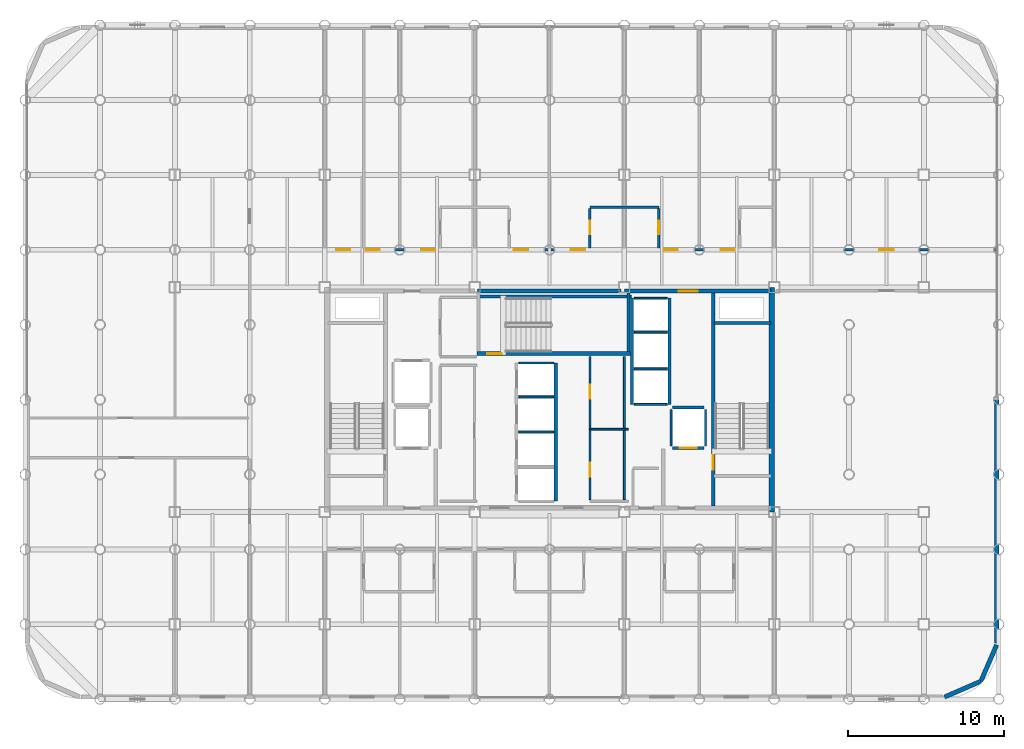
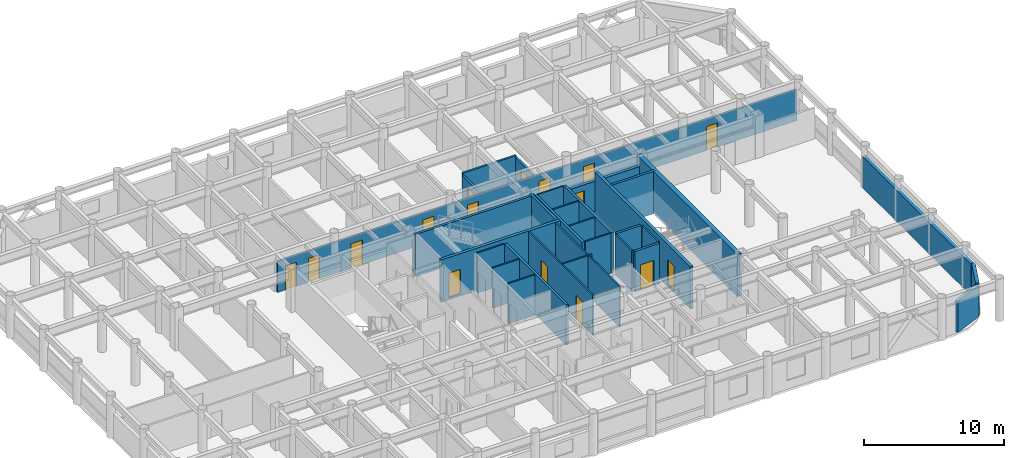
# One storey, part 18 of 20: 32 walls, 16 doors, 16 openings.
"""IFC4 building model written with IfcOpenShell, lengths in metres."""

from ifc_helpers import new_model, si_unit, direction, frame, frame_2d, origin, place, context, subcontext, project, spatial, rectangle, extrude, material, layer, layer_set, type_object, element, fill, save


model = new_model("IFC4")

# Units and contexts
model_context = context("Model", 3, precision=1e-05, world=origin(), true_north=direction((0.0, 1.0)))
body_context = subcontext(model_context, "Body", "Model", "MODEL_VIEW")
ifc_project = project(units=[si_unit("LENGTHUNIT", "METRE"), si_unit("AREAUNIT", "SQUARE_METRE"), si_unit("VOLUMEUNIT", "CUBIC_METRE"), si_unit("PLANEANGLEUNIT", "RADIAN"), si_unit("MASSUNIT", "GRAM", prefix="KILO")], contexts=[model_context])

# Site, building, storey
site_placement = place(None, origin())
site = spatial("IfcSite", under=ifc_project, at=site_placement, CompositionType="ELEMENT")
building_placement = place(site_placement, origin())
building = spatial("IfcBuilding", under=site, at=building_placement, Name="Kallvorn Hotel Tower", CompositionType="ELEMENT")
storey_placement = place(building_placement, frame((0.0, 0.0, 128.5)))
storey = spatial("IfcBuildingStorey", under=building, at=storey_placement, Name="L31", CompositionType="ELEMENT", Elevation=128.5)

# Wall
ifc_material_1 = material(Name="Concrete C50/60", Category="concrete")
ifc_layer_1 = layer(ifc_material_1, 0.35009765625)
ifc_layer_set_1 = layer_set([ifc_layer_1], Name="WL_CORE_350")
wall_type_1 = type_object("IfcWallType", Name="WL_CORE_350", PredefinedType="SHEAR", material=ifc_layer_set_1)
wall_1_placement = place(storey_placement, frame((14.239990234375, -7.199951171875, -0.179931640625), z_axis=(0.0, 0.0, 1.0), x_axis=(0.0, 1.0, 0.0)))
element("IfcWall", 1, at=wall_1_placement, inside=storey, type_object=wall_type_1, Name="L31 Core East Shear Wall", PredefinedType="SHEAR", context=body_context, shape_type="SweptSolid", body=[
    extrude(rectangle(XDim=14.39990234375, YDim=0.35009765625, at=frame_2d((7.199951171875, 0.0))), origin(), (0.0, 0.0, 1.0), 3.699951171875),
])

# Wall, openings, doors
ifc_material_2 = material(Name="Fire-rated double-layer acoustic gypsum drywall EI 60")
ifc_layer_2 = layer(ifc_material_2, 0.159912109375)
ifc_layer_set_2 = layer_set([ifc_layer_2], Name="WL_DEMISE_160")
wall_type_2 = type_object("IfcWallType", Name="WL_DEMISE_160", PredefinedType="PARTITIONING", material=ifc_layer_set_2)
wall_2_placement = place(storey_placement, frame((-14.320068359375, 9.60009765625, 0.0), z_axis=(0.0, 0.0, 1.0), x_axis=(1.0, 0.0, 0.0)))
wall_2 = element("IfcWall", 2, at=wall_2_placement, inside=storey, type_object=wall_type_2, Name="L31 Suite 3107 Standard Twin Room Partition", PredefinedType="PARTITIONING", context=body_context, shape_type="SweptSolid", body=[
    extrude(rectangle(XDim=42.949951171875, YDim=0.159912109375, at=frame_2d((21.47509765625, 0.0))), origin(), (0.0, 0.0, 1.0), 2.719970703125),
])
opening_1_placement = place(wall_2_placement, frame((35.469970703125, 0.0, 0.0)))
opening_1 = element("IfcOpeningElement", 3, at=opening_1_placement, cuts=wall_2, Name="Opening SVD1", PredefinedType="OPENING", context=body_context, shape_type="SweptSolid", body=[
    extrude(rectangle(XDim=0.89990234375, YDim=2.10009765625, at=frame_2d((0.449951171875, 1.050048828125))), frame((0.0, 0.094970703125, 0.0), z_axis=(0.0, -1.0, 0.0), x_axis=(1.0, 0.0, 0.0)), (0.0, 0.0, 1.0), 0.18994140625),
])
opening_2_placement = place(wall_2_placement, frame((0.669921875, 0.0, 0.0)))
opening_2 = element("IfcOpeningElement", 4, at=opening_2_placement, cuts=wall_2, Name="Opening SVD1", PredefinedType="OPENING", context=body_context, shape_type="SweptSolid", body=[
    extrude(rectangle(XDim=0.89990234375, YDim=2.10009765625, at=frame_2d((0.449951171875, 1.050048828125))), frame((0.0, 0.094970703125, 0.0), z_axis=(0.0, -1.0, 0.0), x_axis=(1.0, 0.0, 0.0)), (0.0, 0.0, 1.0), 0.18994140625),
])
opening_3_placement = place(wall_2_placement, frame((2.56005859375, 0.0, 0.0)))
opening_3 = element("IfcOpeningElement", 5, at=opening_3_placement, cuts=wall_2, Name="Opening SVD1", PredefinedType="OPENING", context=body_context, shape_type="SweptSolid", body=[
    extrude(rectangle(XDim=0.89990234375, YDim=2.10009765625, at=frame_2d((0.449951171875, 1.050048828125))), frame((0.0, 0.094970703125, 0.0), z_axis=(0.0, -1.0, 0.0), x_axis=(1.0, 0.0, 0.0)), (0.0, 0.0, 1.0), 0.18994140625),
])
opening_4_placement = place(wall_2_placement, frame((6.090087890625, 0.0, 0.0)))
opening_4 = element("IfcOpeningElement", 6, at=opening_4_placement, cuts=wall_2, Name="Opening GD1", PredefinedType="OPENING", context=body_context, shape_type="SweptSolid", body=[
    extrude(rectangle(XDim=0.919921875, YDim=2.14990234375, at=frame_2d((0.4599609375, 1.074951171875))), frame((0.0, 0.094970703125, 0.0), z_axis=(0.0, -1.0, 0.0), x_axis=(1.0, 0.0, 0.0)), (0.0, 0.0, 1.0), 0.18994140625),
])
opening_5_placement = place(wall_2_placement, frame((12.030029296875, 0.0, 0.0)))
opening_5 = element("IfcOpeningElement", 7, at=opening_5_placement, cuts=wall_2, Name="Opening GD1", PredefinedType="OPENING", context=body_context, shape_type="SweptSolid", body=[
    extrude(rectangle(XDim=0.919921875, YDim=2.14990234375, at=frame_2d((0.4599609375, 1.074951171875))), frame((0.0, 0.094970703125, 0.0), z_axis=(0.0, -1.0, 0.0), x_axis=(1.0, 0.0, 0.0)), (0.0, 0.0, 1.0), 0.18994140625),
])
opening_6_placement = place(wall_2_placement, frame((15.68994140625, 0.0, 0.0)))
opening_6 = element("IfcOpeningElement", 8, at=opening_6_placement, cuts=wall_2, Name="Opening GD1", PredefinedType="OPENING", context=body_context, shape_type="SweptSolid", body=[
    extrude(rectangle(XDim=0.919921875, YDim=2.14990234375, at=frame_2d((0.4599609375, 1.074951171875))), frame((0.0, 0.094970703125, 0.0), z_axis=(0.0, -1.0, 0.0), x_axis=(1.0, 0.0, 0.0)), (0.0, 0.0, 1.0), 0.18994140625),
])
opening_7_placement = place(wall_2_placement, frame((21.6298828125, 0.0, 0.0)))
opening_7 = element("IfcOpeningElement", 9, at=opening_7_placement, cuts=wall_2, Name="Opening GD1", PredefinedType="OPENING", context=body_context, shape_type="SweptSolid", body=[
    extrude(rectangle(XDim=0.919921875, YDim=2.14990234375, at=frame_2d((0.4599609375, 1.074951171875))), frame((0.0, 0.094970703125, 0.0), z_axis=(0.0, -1.0, 0.0), x_axis=(1.0, 0.0, 0.0)), (0.0, 0.0, 1.0), 0.18994140625),
])
opening_8_placement = place(wall_2_placement, frame((25.2900390625, 0.0, 0.0)))
opening_8 = element("IfcOpeningElement", 10, at=opening_8_placement, cuts=wall_2, Name="Opening GD1", PredefinedType="OPENING", context=body_context, shape_type="SweptSolid", body=[
    extrude(rectangle(XDim=0.919921875, YDim=2.14990234375, at=frame_2d((0.4599609375, 1.074951171875))), frame((0.0, 0.094970703125, 0.0), z_axis=(0.0, -1.0, 0.0), x_axis=(1.0, 0.0, 0.0)), (0.0, 0.0, 1.0), 0.18994140625),
])
ifc_material_3 = material(Name="Solid-core walnut veneer fire-rated timber door leaf", Category="wood")
door_type_1 = type_object("IfcDoorType", Name="DR_GUEST_920x2150", OperationType="NOTDEFINED", PredefinedType="DOOR", material=ifc_material_3)
door_1_placement = place(opening_4_placement, origin())
door_1 = element("IfcDoor", 11, at=door_1_placement, inside=storey, type_object=door_type_1, Name="L31 Suite 3107 Standard Twin Room Door", OperationType="SINGLE_SWING_RIGHT", OverallHeight=2.14990234375, OverallWidth=0.919921875, PredefinedType="DOOR", context=body_context, shape_type="SweptSolid", body=[
    extrude(rectangle(XDim=0.919921875, YDim=2.14990234375, at=frame_2d((0.4599609375, 1.074951171875))), frame((0.0, 0.02490234375, 0.0), z_axis=(0.0, -1.0, 0.0), x_axis=(1.0, 0.0, 0.0)), (0.0, 0.0, 1.0), 0.050048828125),
])
fill(opening_4, door_1)
door_2_placement = place(opening_5_placement, origin())
door_2 = element("IfcDoor", 12, at=door_2_placement, inside=storey, type_object=door_type_1, Name="L31 Suite 3108 Standard Twin Room Door", OperationType="SINGLE_SWING_RIGHT", OverallHeight=2.14990234375, OverallWidth=0.919921875, PredefinedType="DOOR", context=body_context, shape_type="SweptSolid", body=[
    extrude(rectangle(XDim=0.919921875, YDim=2.14990234375, at=frame_2d((0.4599609375, 1.074951171875))), frame((0.0, 0.02490234375, 0.0), z_axis=(0.0, -1.0, 0.0), x_axis=(1.0, 0.0, 0.0)), (0.0, 0.0, 1.0), 0.050048828125),
])
fill(opening_5, door_2)
door_3_placement = place(opening_6_placement, origin())
door_3 = element("IfcDoor", 13, at=door_3_placement, inside=storey, type_object=door_type_1, Name="L31 Suite 3109 Standard Twin Room Door", OperationType="SINGLE_SWING_LEFT", OverallHeight=2.14990234375, OverallWidth=0.919921875, PredefinedType="DOOR", context=body_context, shape_type="SweptSolid", body=[
    extrude(rectangle(XDim=0.919921875, YDim=2.14990234375, at=frame_2d((0.4599609375, 1.074951171875))), frame((0.0, 0.02490234375, 0.0), z_axis=(0.0, -1.0, 0.0), x_axis=(1.0, 0.0, 0.0)), (0.0, 0.0, 1.0), 0.050048828125),
])
fill(opening_6, door_3)
door_4_placement = place(opening_7_placement, origin())
door_4 = element("IfcDoor", 14, at=door_4_placement, inside=storey, type_object=door_type_1, Name="L31 Suite 3110 Standard Twin Room Door", OperationType="SINGLE_SWING_RIGHT", OverallHeight=2.14990234375, OverallWidth=0.919921875, PredefinedType="DOOR", context=body_context, shape_type="SweptSolid", body=[
    extrude(rectangle(XDim=0.919921875, YDim=2.14990234375, at=frame_2d((0.4599609375, 1.074951171875))), frame((0.0, 0.02490234375, 0.0), z_axis=(0.0, -1.0, 0.0), x_axis=(1.0, 0.0, 0.0)), (0.0, 0.0, 1.0), 0.050048828125),
])
fill(opening_7, door_4)
door_5_placement = place(opening_8_placement, origin())
door_5 = element("IfcDoor", 15, at=door_5_placement, inside=storey, type_object=door_type_1, Name="L31 Suite 3111 Standard Twin Room Door", OperationType="SINGLE_SWING_LEFT", OverallHeight=2.14990234375, OverallWidth=0.919921875, PredefinedType="DOOR", context=body_context, shape_type="SweptSolid", body=[
    extrude(rectangle(XDim=0.919921875, YDim=2.14990234375, at=frame_2d((0.4599609375, 1.074951171875))), frame((0.0, 0.02490234375, 0.0), z_axis=(0.0, -1.0, 0.0), x_axis=(1.0, 0.0, 0.0)), (0.0, 0.0, 1.0), 0.050048828125),
])
fill(opening_8, door_5)
ifc_material_4 = material(Name="Galvanised painted steel fire-rated door assembly", Category="steel")
door_type_2 = type_object("IfcDoorType", Name="DR_SERV_900x2100", OperationType="NOTDEFINED", PredefinedType="DOOR", material=ifc_material_4)
door_6_placement = place(opening_1_placement, origin())
door_6 = element("IfcDoor", 16, at=door_6_placement, inside=storey, type_object=door_type_2, Name="L31 L31 North-East Monserrate Banquet Hall Door", OperationType="SINGLE_SWING_LEFT", OverallHeight=2.10009765625, OverallWidth=0.89990234375, PredefinedType="DOOR", context=body_context, shape_type="SweptSolid", body=[
    extrude(rectangle(XDim=0.89990234375, YDim=2.10009765625, at=frame_2d((0.449951171875, 1.050048828125))), frame((0.0, 0.02490234375, 0.0), z_axis=(0.0, -1.0, 0.0), x_axis=(1.0, 0.0, 0.0)), (0.0, 0.0, 1.0), 0.050048828125),
])
fill(opening_1, door_6)
door_7_placement = place(opening_2_placement, origin())
door_7 = element("IfcDoor", 17, at=door_7_placement, inside=storey, type_object=door_type_2, Name="L31 Housekeeping and Linen Room Door", OperationType="SINGLE_SWING_RIGHT", OverallHeight=2.10009765625, OverallWidth=0.89990234375, PredefinedType="DOOR", context=body_context, shape_type="SweptSolid", body=[
    extrude(rectangle(XDim=0.89990234375, YDim=2.10009765625, at=frame_2d((0.449951171875, 1.050048828125))), frame((0.0, 0.02490234375, 0.0), z_axis=(0.0, -1.0, 0.0), x_axis=(1.0, 0.0, 0.0)), (0.0, 0.0, 1.0), 0.050048828125),
])
fill(opening_2, door_7)
door_8_placement = place(opening_3_placement, origin())
door_8 = element("IfcDoor", 18, at=door_8_placement, inside=storey, type_object=door_type_2, Name="L31 Guest Tea and Refreshment Bar Door", OperationType="SINGLE_SWING_RIGHT", OverallHeight=2.10009765625, OverallWidth=0.89990234375, PredefinedType="DOOR", context=body_context, shape_type="SweptSolid", body=[
    extrude(rectangle(XDim=0.89990234375, YDim=2.10009765625, at=frame_2d((0.449951171875, 1.050048828125))), frame((0.0, 0.02490234375, 0.0), z_axis=(0.0, -1.0, 0.0), x_axis=(1.0, 0.0, 0.0)), (0.0, 0.0, 1.0), 0.050048828125),
])
fill(opening_3, door_8)

# Wall
wall_3_placement = place(storey_placement, frame((2.590087890625, 12.320068359375, 0.0), z_axis=(0.0, 0.0, 1.0), x_axis=(1.0, 0.0, 0.0)))
element("IfcWall", 19, at=wall_3_placement, inside=storey, type_object=wall_type_2, Name="L31 Suite 3109 Standard Twin Room Partition", PredefinedType="PARTITIONING", context=body_context, shape_type="SweptSolid", body=[
    extrude(rectangle(XDim=4.419921875, YDim=0.159912109375, at=frame_2d((2.2099609375, 0.0))), origin(), (0.0, 0.0, 1.0), 2.8701171875),
])

# Wall, opening, door
wall_4_placement = place(storey_placement, frame((2.594970703125, 9.719970703125, 0.0), z_axis=(0.0, 0.0, 1.0), x_axis=(0.0, 1.0, 0.0)))
wall_4 = element("IfcWall", 20, at=wall_4_placement, inside=storey, type_object=wall_type_2, Name="L31 Suite 3109 Standard Twin Room Partition", PredefinedType="PARTITIONING", context=body_context, shape_type="SweptSolid", body=[
    extrude(rectangle(XDim=2.51513671875, YDim=0.159912109375, at=frame_2d((1.257568359375, 0.0))), origin(), (0.0, 0.0, 1.0), 2.719970703125),
])
opening_9_placement = place(wall_4_placement, frame((0.8701171875, 0.0, 0.0)))
opening_9 = element("IfcOpeningElement", 21, at=opening_9_placement, cuts=wall_4, Name="Opening BD-I", PredefinedType="OPENING", context=body_context, shape_type="SweptSolid", body=[
    extrude(rectangle(XDim=0.860107421875, YDim=2.10009765625, at=frame_2d((0.43017578125, 1.050048828125))), frame((0.0, 0.094970703125, 0.0), z_axis=(0.0, -1.0, 0.0), x_axis=(1.0, 0.0, 0.0)), (0.0, 0.0, 1.0), 0.18994140625),
])
ifc_material_5 = material(Name="Solid-core walnut veneer fire-rated timber door leaf", Category="wood")
door_type_3 = type_object("IfcDoorType", Name="DR_BATH_860x2100", OperationType="NOTDEFINED", PredefinedType="DOOR", material=ifc_material_5)
door_9_placement = place(opening_9_placement, origin())
door_9 = element("IfcDoor", 22, at=door_9_placement, inside=storey, type_object=door_type_3, Name="L31 Suite 3109 En-Suite Bathroom Door", OperationType="SINGLE_SWING_LEFT", OverallHeight=2.10009765625, OverallWidth=0.860107421875, PredefinedType="DOOR", context=body_context, shape_type="SweptSolid", body=[
    extrude(rectangle(XDim=0.860107421875, YDim=2.10009765625, at=frame_2d((0.43017578125, 1.050048828125))), frame((0.0, 0.02490234375, 0.0), z_axis=(0.0, -1.0, 0.0), x_axis=(1.0, 0.0, 0.0)), (0.0, 0.0, 1.0), 0.050048828125),
])
fill(opening_9, door_9)

wall_5_placement = place(storey_placement, frame((7.006591796875, 9.719970703125, 0.0), z_axis=(0.0, 0.0, 1.0), x_axis=(0.0, 1.0, 0.0)))
wall_5 = element("IfcWall", 23, at=wall_5_placement, inside=storey, type_object=wall_type_2, Name="L31 Suite 3110 Standard Twin Room Partition", PredefinedType="PARTITIONING", context=body_context, shape_type="SweptSolid", body=[
    extrude(rectangle(XDim=2.51513671875, YDim=0.159912109375, at=frame_2d((1.257568359375, 0.0))), origin(), (0.0, 0.0, 1.0), 2.719970703125),
])
opening_10_placement = place(wall_5_placement, frame((0.8701171875, 0.0, 0.0)))
opening_10 = element("IfcOpeningElement", 24, at=opening_10_placement, cuts=wall_5, Name="Opening BD-I", PredefinedType="OPENING", context=body_context, shape_type="SweptSolid", body=[
    extrude(rectangle(XDim=0.860107421875, YDim=2.10009765625, at=frame_2d((0.43017578125, 1.050048828125))), frame((0.0, 0.094970703125, 0.0), z_axis=(0.0, -1.0, 0.0), x_axis=(1.0, 0.0, 0.0)), (0.0, 0.0, 1.0), 0.18994140625),
])
door_10_placement = place(opening_10_placement, origin())
door_10 = element("IfcDoor", 25, at=door_10_placement, inside=storey, type_object=door_type_3, Name="L31 Suite 3110 En-Suite Bathroom Door", OperationType="SINGLE_SWING_LEFT", OverallHeight=2.10009765625, OverallWidth=0.860107421875, PredefinedType="DOOR", context=body_context, shape_type="SweptSolid", body=[
    extrude(rectangle(XDim=0.860107421875, YDim=2.10009765625, at=frame_2d((0.43017578125, 1.050048828125))), frame((0.0, 0.02490234375, 0.0), z_axis=(0.0, -1.0, 0.0), x_axis=(1.0, 0.0, 0.0)), (0.0, 0.0, 1.0), 0.050048828125),
])
fill(opening_10, door_10)

# Walls
ifc_material_6 = material(Name="Precast basalt-clad insulated concrete wall C40/50", Category="masonry")
ifc_layer_3 = layer(ifc_material_6, 0.280029296875)
ifc_layer_set_3 = layer_set([ifc_layer_3], Name="WL_EXT_LOGGIA_280")
wall_type_3 = type_object("IfcWallType", Name="WL_EXT_LOGGIA_280", PredefinedType="SOLIDWALL", material=ifc_layer_set_3)
wall_6_placement = place(storey_placement, frame((25.32080078125, -19.057861328125, 0.0), z_axis=(0.0, 0.0, 1.0), x_axis=(0.917060872934, 0.398747232384, 0.0)))
element("IfcWall", 26, at=wall_6_placement, inside=storey, type_object=wall_type_3, Name="L31 Rounded Corner Exterior Wall SE1", PredefinedType="SOLIDWALL", context=body_context, shape_type="SweptSolid", body=[
    extrude(rectangle(XDim=2.5361328125, YDim=0.280029296875, at=frame_2d((1.26806640625, 0.0))), origin(), (0.0, 0.0, 1.0), 2.719970703125),
])
wall_7_placement = place(storey_placement, frame((27.646484375, -18.046630859375, 0.0), z_axis=(0.0, 0.0, 1.0), x_axis=(0.398792985289, 0.917040977756, 0.0)))
element("IfcWall", 27, at=wall_7_placement, inside=storey, type_object=wall_type_3, Name="L31 Rounded Corner Exterior Wall SE2", PredefinedType="SOLIDWALL", context=body_context, shape_type="SweptSolid", body=[
    extrude(rectangle(XDim=2.536376953125, YDim=0.280029296875, at=frame_2d((1.26806640625, 0.0))), origin(), (0.0, 0.0, 1.0), 2.8701171875),
])
wall_8_placement = place(storey_placement, frame((28.659912109375, -15.60009765625, 0.0), z_axis=(0.0, 0.0, 1.0), x_axis=(0.0, 1.0, 0.0)))
element("IfcWall", 28, at=wall_8_placement, inside=storey, type_object=wall_type_3, Name="L31 Exterior Envelope Wall EW-L31-ES", PredefinedType="SOLIDWALL", context=body_context, shape_type="SweptSolid", body=[
    extrude(rectangle(XDim=15.580078125, YDim=0.280029296875, at=frame_2d((7.7900390625, 0.0))), origin(), (0.0, 0.0, 1.0), 2.719970703125),
])
ifc_material_7 = material(Name="Concrete C40/50", Category="concrete")
ifc_layer_4 = layer(ifc_material_7, 0.199951171875)
ifc_layer_set_4 = layer_set([ifc_layer_4], Name="WL_HOIST_200")
wall_type_4 = type_object("IfcWallType", Name="WL_HOIST_200", PredefinedType="SOLIDWALL", material=ifc_layer_set_4)
wall_9_placement = place(storey_placement, frame((10.550048828125, 4.89990234375, -0.179931640625), z_axis=(0.0, 0.0, 1.0), x_axis=(1.0, 0.0, 0.0)))
element("IfcWall", 29, at=wall_9_placement, inside=storey, type_object=wall_type_4, Name="L31 Stair ST2 North Wall", PredefinedType="SOLIDWALL", context=body_context, shape_type="SweptSolid", body=[
    extrude(rectangle(XDim=3.64990234375, YDim=0.199951171875, at=frame_2d((1.824951171875, 0.0))), origin(), (0.0, 0.0, 1.0), 3.699951171875),
])
wall_10_placement = place(storey_placement, frame((-4.64990234375, 6.610107421875, -0.179931640625), z_axis=(0.0, 0.0, 1.0), x_axis=(1.0, 0.0, 0.0)))
element("IfcWall", 30, at=wall_10_placement, inside=storey, type_object=wall_type_4, Name="L31 Stair ST3 Shaft North Wall", PredefinedType="SOLIDWALL", context=body_context, shape_type="SweptSolid", body=[
    extrude(rectangle(XDim=9.89990234375, YDim=0.199951171875, at=frame_2d((4.949951171875, 0.0))), origin(), (0.0, 0.0, 1.0), 3.699951171875),
])
wall_11_placement = place(storey_placement, frame((5.06005859375, 3.080078125, -0.179931640625), z_axis=(0.0, 0.0, 1.0), x_axis=(0.0, 1.0, 0.0)))
element("IfcWall", 31, at=wall_11_placement, inside=storey, type_object=wall_type_4, Name="L31 Stair ST3 East Wall", PredefinedType="SOLIDWALL", context=body_context, shape_type="SweptSolid", body=[
    extrude(rectangle(XDim=3.739990234375, YDim=0.199951171875, at=frame_2d((1.8701171875, 0.0))), origin(), (0.0, 0.0, 1.0), 3.699951171875),
])
wall_12_placement = place(storey_placement, frame((0.39990234375, -6.5, 0.0), z_axis=(0.0, 0.0, 1.0), x_axis=(0.0, 1.0, 0.0)))
element("IfcWall", 32, at=wall_12_placement, inside=storey, type_object=wall_type_4, Name="L31 Lift Bank B2 Rear Shaft Wall", PredefinedType="SOLIDWALL", context=body_context, shape_type="SweptSolid", body=[
    extrude(rectangle(XDim=8.85009765625, YDim=0.199951171875, at=frame_2d((4.425048828125, 0.0))), origin(), (0.0, 0.0, 1.0), 3.52001953125),
])
for number, where, z_axis, x_axis, name in (
    (33, (7.699951171875, -0.300048828125, 0.0), (0.0, 0.0, 1.0), (0.0, 1.0, 0.0), "L31 Lift Bank OBS Landing Wall"),
    (34, (5.300048828125, -0.300048828125, 0.0), (0.0, 0.0, 1.0), (0.0, 1.0, 0.0), "L31 Lift Bank OBS Rear Shaft Wall"),
):
    element("IfcWall", number, at=place(storey_placement, frame(where, z_axis=z_axis, x_axis=x_axis)), inside=storey, type_object=wall_type_4, Name=name, PredefinedType="SOLIDWALL", context=body_context, shape_type="SweptSolid", body=[
        extrude(rectangle(XDim=6.800048828125, YDim=0.199951171875, at=frame_2d((3.39990234375, 0.0))), origin(), (0.0, 0.0, 1.0), 3.52001953125),
    ])

# Wall, opening, door
wall_13_placement = place(storey_placement, frame((7.8798828125, -3.10009765625, 0.0), z_axis=(0.0, 0.0, 1.0), x_axis=(1.0, 0.0, 0.0)))
wall_13 = element("IfcWall", 35, at=wall_13_placement, inside=storey, type_object=wall_type_4, Name="L31 FL-2 Landing Wall", PredefinedType="SOLIDWALL", context=body_context, shape_type="SweptSolid", body=[
    extrude(rectangle(XDim=2.0400390625, YDim=0.199951171875, at=frame_2d((1.02001953125, 0.0))), origin(), (0.0, 0.0, 1.0), 3.52001953125),
])
opening_11_placement = place(wall_13_placement, frame((0.469970703125, 0.0, 0.0)))
opening_11 = element("IfcOpeningElement", 36, at=opening_11_placement, cuts=wall_13, Name="Opening LD-FL-2", PredefinedType="OPENING", context=body_context, shape_type="SweptSolid", body=[
    extrude(rectangle(XDim=1.10009765625, YDim=2.199951171875, at=frame_2d((0.550048828125, 1.10009765625))), frame((0.0, 0.114990234375, 0.0), z_axis=(0.0, -1.0, 0.0), x_axis=(1.0, 0.0, 0.0)), (0.0, 0.0, 1.0), 0.22998046875),
])
ifc_material_8 = material(Name="Brushed stainless-steel automatic sliding lift landing door", Category="steel")
door_type_4 = type_object("IfcDoorType", Name="LD_PASS_1100x2200", OperationType="SLIDING_TO_LEFT", PredefinedType="DOOR", material=ifc_material_8)
door_11_placement = place(opening_11_placement, origin())
door_11 = element("IfcDoor", 37, at=door_11_placement, inside=storey, type_object=door_type_4, Name="L31 Lift Landing Sliding Door LD-FL-2", OperationType="SLIDING_TO_LEFT", OverallHeight=2.199951171875, OverallWidth=1.10009765625, PredefinedType="DOOR", context=body_context, shape_type="SweptSolid", body=[
    extrude(rectangle(XDim=1.10009765625, YDim=2.199951171875, at=frame_2d((0.550048828125, 1.10009765625))), frame((0.0, 0.02490234375, 0.0), z_axis=(0.0, -1.0, 0.0), x_axis=(1.0, 0.0, 0.0)), (0.0, 0.0, 1.0), 0.050048828125),
])
fill(opening_11, door_11)

# Walls
wall_14_placement = place(storey_placement, frame((7.8798828125, -0.5, 0.0), z_axis=(0.0, 0.0, 1.0), x_axis=(1.0, 0.0, 0.0)))
element("IfcWall", 38, at=wall_14_placement, inside=storey, type_object=wall_type_4, Name="L31 FL-2 Rear Shaft Wall", PredefinedType="SOLIDWALL", context=body_context, shape_type="SweptSolid", body=[
    extrude(rectangle(XDim=2.0400390625, YDim=0.199951171875, at=frame_2d((1.02001953125, 0.0))), origin(), (0.0, 0.0, 1.0), 3.52001953125),
])
ifc_material_9 = material(Name="Fire-rated double-layer acoustic gypsum drywall EI 60")
ifc_layer_5 = layer(ifc_material_9, 0.1201171875)
ifc_layer_set_5 = layer_set([ifc_layer_5], Name="WL_INT_120")
wall_type_5 = type_object("IfcWallType", Name="WL_INT_120", PredefinedType="PARTITIONING", material=ifc_layer_set_5)
for number, where, z_axis, x_axis, name in (
    (39, (-1.9599609375, -2.074951171875, 0.0), (0.0, 0.0, 1.0), (1.0, 0.0, 0.0), "L31 PL-06 Hoistway Divider"),
    (40, (-1.9599609375, 0.175048828125, 0.0), (0.0, 0.0, 1.0), (1.0, 0.0, 0.0), "L31 PL-07 Hoistway Divider"),
    (41, (-1.9599609375, 2.35009765625, 0.0), (0.0, 0.0, 1.0), (1.0, 0.0, 0.0), "L31 PL-08 Hoistway Divider"),
):
    element("IfcWall", number, at=place(storey_placement, frame(where, z_axis=z_axis, x_axis=x_axis)), inside=storey, type_object=wall_type_5, Name=name, PredefinedType="PARTITIONING", context=body_context, shape_type="SweptSolid", body=[
        extrude(rectangle(XDim=2.219970703125, YDim=0.1201171875, at=frame_2d((1.10986328125, 0.0))), origin(), (0.0, 0.0, 1.0), 3.52001953125),
    ])
for number, where, z_axis, x_axis, name in (
    (42, (5.43994140625, -0.300048828125, 0.0), (0.0, 0.0, 1.0), (1.0, 0.0, 0.0), "L31 Lift Bank OBS South Closure Wall"),
    (43, (5.43994140625, 1.97509765625, 0.0), (0.0, 0.0, 1.0), (1.0, 0.0, 0.0), "L31 OB-01 Hoistway Divider"),
    (44, (5.43994140625, 4.324951171875, 0.0), (0.0, 0.0, 1.0), (1.0, 0.0, 0.0), "L31 OB-02 Hoistway Divider"),
    (45, (5.43994140625, 6.5, 0.0), (0.0, 0.0, 1.0), (1.0, 0.0, 0.0), "L31 OB-03 Hoistway Divider"),
):
    element("IfcWall", number, at=place(storey_placement, frame(where, z_axis=z_axis, x_axis=x_axis)), inside=storey, type_object=wall_type_5, Name=name, PredefinedType="PARTITIONING", context=body_context, shape_type="SweptSolid", body=[
        extrude(rectangle(XDim=2.1201171875, YDim=0.1201171875, at=frame_2d((1.06005859375, 0.0))), origin(), (0.0, 0.0, 1.0), 3.52001953125),
    ])
for number, where, z_axis, x_axis, name in (
    (46, (7.800048828125, -2.9599609375, 0.0), (0.0, 0.0, 1.0), (0.0, 1.0, 0.0), "L31 FL-2 West Shaft Wall"),
    (47, (10.0, -2.9599609375, 0.0), (0.0, 0.0, 1.0), (0.0, 1.0, 0.0), "L31 FL-2 East Shaft Wall"),
):
    element("IfcWall", number, at=place(storey_placement, frame(where, z_axis=z_axis, x_axis=x_axis)), inside=storey, type_object=wall_type_5, Name=name, PredefinedType="PARTITIONING", context=body_context, shape_type="SweptSolid", body=[
        extrude(rectangle(XDim=2.320068359375, YDim=0.1201171875, at=frame_2d((1.16015625, 0.0))), origin(), (0.0, 0.0, 1.0), 3.52001953125),
    ])
wall_15_placement = place(storey_placement, frame((2.60009765625, -1.89990234375, 0.0), z_axis=(0.0, 0.0, 1.0), x_axis=(1.0, 0.0, 0.0)))
element("IfcWall", 48, at=wall_15_placement, inside=storey, type_object=wall_type_5, Name="L31 East Core Amenities and Minibar Store Partition", PredefinedType="PARTITIONING", context=body_context, shape_type="SweptSolid", body=[
    extrude(rectangle(XDim=2.449951171875, YDim=0.1201171875, at=frame_2d((1.22509765625, 0.0))), origin(), (0.0, 0.0, 1.0), 3.52001953125),
])

# Wall, openings, doors
wall_16_placement = place(storey_placement, frame((2.594970703125, -6.4150390625, 0.0), z_axis=(0.0, 0.0, 1.0), x_axis=(0.0, 1.0, 0.0)))
wall_16 = element("IfcWall", 49, at=wall_16_placement, inside=storey, type_object=wall_type_5, Name="L31 East Core Amenities and Minibar Store Partition", PredefinedType="PARTITIONING", context=body_context, shape_type="SweptSolid", body=[
    extrude(rectangle(XDim=9.1650390625, YDim=0.1201171875, at=frame_2d((4.58251953125, 0.0))), origin(), (0.0, 0.0, 1.0), 3.52001953125),
])
opening_12_placement = place(wall_16_placement, frame((1.465087890625, 0.0, 0.0)))
opening_12 = element("IfcOpeningElement", 50, at=opening_12_placement, cuts=wall_16, Name="Opening SVD1", PredefinedType="OPENING", context=body_context, shape_type="SweptSolid", body=[
    extrude(rectangle(XDim=0.89990234375, YDim=2.10009765625, at=frame_2d((0.449951171875, 1.050048828125))), frame((0.0, 0.074951171875, 0.0), z_axis=(0.0, -1.0, 0.0), x_axis=(1.0, 0.0, 0.0)), (0.0, 0.0, 1.0), 0.150146484375),
])
opening_13_placement = place(wall_16_placement, frame((6.465087890625, 0.0, 0.0)))
opening_13 = element("IfcOpeningElement", 51, at=opening_13_placement, cuts=wall_16, Name="Opening SVD1", PredefinedType="OPENING", context=body_context, shape_type="SweptSolid", body=[
    extrude(rectangle(XDim=0.89990234375, YDim=2.10009765625, at=frame_2d((0.449951171875, 1.050048828125))), frame((0.0, 0.074951171875, 0.0), z_axis=(0.0, -1.0, 0.0), x_axis=(1.0, 0.0, 0.0)), (0.0, 0.0, 1.0), 0.150146484375),
])
door_12_placement = place(opening_12_placement, origin())
door_12 = element("IfcDoor", 52, at=door_12_placement, inside=storey, type_object=door_type_2, Name="L31 East Core Amenities and Minibar Store Door", OperationType="SINGLE_SWING_RIGHT", OverallHeight=2.10009765625, OverallWidth=0.89990234375, PredefinedType="DOOR", context=body_context, shape_type="SweptSolid", body=[
    extrude(rectangle(XDim=0.89990234375, YDim=2.10009765625, at=frame_2d((0.449951171875, 1.050048828125))), frame((0.0, 0.02490234375, 0.0), z_axis=(0.0, -1.0, 0.0), x_axis=(1.0, 0.0, 0.0)), (0.0, 0.0, 1.0), 0.050048828125),
])
fill(opening_12, door_12)
door_13_placement = place(opening_13_placement, origin())
door_13 = element("IfcDoor", 53, at=door_13_placement, inside=storey, type_object=door_type_2, Name="L31 East Core Cleaners and Janitor Room Door", OperationType="SINGLE_SWING_LEFT", OverallHeight=2.10009765625, OverallWidth=0.89990234375, PredefinedType="DOOR", context=body_context, shape_type="SweptSolid", body=[
    extrude(rectangle(XDim=0.89990234375, YDim=2.10009765625, at=frame_2d((0.449951171875, 1.050048828125))), frame((0.0, 0.02490234375, 0.0), z_axis=(0.0, -1.0, 0.0), x_axis=(1.0, 0.0, 0.0)), (0.0, 0.0, 1.0), 0.050048828125),
])
fill(opening_13, door_13)

# Walls
wall_17_placement = place(storey_placement, frame((4.800048828125, -6.4150390625, 0.0), z_axis=(0.0, 0.0, 1.0), x_axis=(0.0, 1.0, 0.0)))
element("IfcWall", 54, at=wall_17_placement, inside=storey, type_object=wall_type_5, Name="L31 East Core Amenities and Minibar Store Partition", PredefinedType="PARTITIONING", context=body_context, shape_type="SweptSolid", body=[
    extrude(rectangle(XDim=9.1650390625, YDim=0.1201171875, at=frame_2d((4.58251953125, 0.0))), origin(), (0.0, 0.0, 1.0), 3.52001953125),
])
ifc_material_10 = material(Name="Concrete C40/50", Category="concrete")
ifc_layer_6 = layer(ifc_material_10, 0.25)
ifc_layer_set_6 = layer_set([ifc_layer_6], Name="WL_SHAFT_250")
wall_type_6 = type_object("IfcWallType", Name="WL_SHAFT_250", PredefinedType="SOLIDWALL", material=ifc_layer_set_6)
wall_18_placement = place(storey_placement, frame((-4.60009765625, 6.949951171875, 0.0), z_axis=(0.0, 0.0, 1.0), x_axis=(1.0, 0.0, 0.0)))
element("IfcWall", 55, at=wall_18_placement, inside=storey, type_object=wall_type_6, Name="L31 Core North-Central Wall", PredefinedType="SOLIDWALL", context=body_context, shape_type="SweptSolid", body=[
    extrude(rectangle(XDim=9.2001953125, YDim=0.25, at=frame_2d((4.60009765625, 0.0))), origin(), (0.0, 0.0, 1.0), 2.719970703125),
])

# Wall, opening, door
wall_19_placement = place(storey_placement, frame((4.800048828125, 6.949951171875, 0.0), z_axis=(0.0, 0.0, 1.0), x_axis=(1.0, 0.0, 0.0)))
wall_19 = element("IfcWall", 56, at=wall_19_placement, inside=storey, type_object=wall_type_6, Name="L31 Core North-East Wall", PredefinedType="SOLIDWALL", context=body_context, shape_type="SweptSolid", body=[
    extrude(rectangle(XDim=9.39990234375, YDim=0.25, at=frame_2d((4.699951171875, 0.0))), origin(), (0.0, 0.0, 1.0), 2.719970703125),
])
opening_14_placement = place(wall_19_placement, frame((3.5, 0.0, 0.0)))
opening_14 = element("IfcOpeningElement", 57, at=opening_14_placement, cuts=wall_19, Name="Opening FD2", PredefinedType="OPENING", context=body_context, shape_type="SweptSolid", body=[
    extrude(rectangle(XDim=1.199951171875, YDim=2.199951171875, at=frame_2d((0.60009765625, 1.10009765625))), frame((0.0, 0.139892578125, 0.0), z_axis=(0.0, -1.0, 0.0), x_axis=(1.0, 0.0, 0.0)), (0.0, 0.0, 1.0), 0.280029296875),
])
ifc_material_11 = material(Name="Galvanised painted steel fire-rated door assembly", Category="steel")
door_type_5 = type_object("IfcDoorType", Name="DR_LOBBY_1200x2200", OperationType="DOUBLE_DOOR_SINGLE_SWING", PredefinedType="DOOR", material=ifc_material_11)
door_14_placement = place(opening_14_placement, origin())
door_14 = element("IfcDoor", 58, at=door_14_placement, inside=storey, type_object=door_type_5, Name="L31 Observatory Shuttle Lobby Door", OperationType="DOUBLE_DOOR_SINGLE_SWING", OverallHeight=2.199951171875, OverallWidth=1.199951171875, PredefinedType="DOOR", context=body_context, shape_type="SweptSolid", body=[
    extrude(rectangle(XDim=1.199951171875, YDim=2.199951171875, at=frame_2d((0.60009765625, 1.10009765625))), frame((0.0, 0.02490234375, 0.0), z_axis=(0.0, -1.0, 0.0), x_axis=(1.0, 0.0, 0.0)), (0.0, 0.0, 1.0), 0.050048828125),
])
fill(opening_14, door_14)

wall_20_placement = place(storey_placement, frame((10.5, -6.820068359375, -0.179931640625), z_axis=(0.0, 0.0, 1.0), x_axis=(0.0, 1.0, 0.0)))
wall_20 = element("IfcWall", 59, at=wall_20_placement, inside=storey, type_object=wall_type_6, Name="L31 Stair ST2 Shaft Wall", PredefinedType="SOLIDWALL", context=body_context, shape_type="SweptSolid", body=[
    extrude(rectangle(XDim=13.64013671875, YDim=0.25, at=frame_2d((6.820068359375, 0.0))), origin(), (0.0, 0.0, 1.0), 3.699951171875),
])
opening_15_placement = place(wall_20_placement, frame((2.320068359375, 0.0, 0.179931640625)))
opening_15 = element("IfcOpeningElement", 60, at=opening_15_placement, cuts=wall_20, Name="Opening SD1", PredefinedType="OPENING", context=body_context, shape_type="SweptSolid", body=[
    extrude(rectangle(XDim=0.949951171875, YDim=2.14990234375, at=frame_2d((0.47509765625, 1.074951171875))), frame((0.0, 0.139892578125, 0.0), z_axis=(0.0, -1.0, 0.0), x_axis=(1.0, 0.0, 0.0)), (0.0, 0.0, 1.0), 0.280029296875),
])
ifc_material_12 = material(Name="Galvanised painted steel fire-rated door assembly", Category="steel")
door_type_6 = type_object("IfcDoorType", Name="DR_STAIR_950x2150", OperationType="NOTDEFINED", PredefinedType="DOOR", material=ifc_material_12)
door_15_placement = place(opening_15_placement, origin())
door_15 = element("IfcDoor", 61, at=door_15_placement, inside=storey, type_object=door_type_6, Name="L31 Exit Stair ST2 Fire Door", OperationType="SINGLE_SWING_RIGHT", OverallHeight=2.14990234375, OverallWidth=0.949951171875, PredefinedType="DOOR", context=body_context, shape_type="SweptSolid", body=[
    extrude(rectangle(XDim=0.949951171875, YDim=2.14990234375, at=frame_2d((0.47509765625, 1.074951171875))), frame((0.0, 0.02490234375, 0.0), z_axis=(0.0, -1.0, 0.0), x_axis=(1.0, 0.0, 0.0)), (0.0, 0.0, 1.0), 0.050048828125),
])
fill(opening_15, door_15)

wall_21_placement = place(storey_placement, frame((-4.64990234375, 2.949951171875, -0.179931640625), z_axis=(0.0, 0.0, 1.0), x_axis=(1.0, 0.0, 0.0)))
wall_21 = element("IfcWall", 62, at=wall_21_placement, inside=storey, type_object=wall_type_6, Name="L31 Stair ST3 Shaft South Wall", PredefinedType="SOLIDWALL", context=body_context, shape_type="SweptSolid", body=[
    extrude(rectangle(XDim=9.89990234375, YDim=0.25, at=frame_2d((4.949951171875, 0.0))), origin(), (0.0, 0.0, 1.0), 3.699951171875),
])
opening_16_placement = place(wall_21_placement, frame((0.64990234375, 0.0, 0.179931640625)))
opening_16 = element("IfcOpeningElement", 63, at=opening_16_placement, cuts=wall_21, Name="Opening SD1", PredefinedType="OPENING", context=body_context, shape_type="SweptSolid", body=[
    extrude(rectangle(XDim=0.949951171875, YDim=2.14990234375, at=frame_2d((0.47509765625, 1.074951171875))), frame((0.0, 0.139892578125, 0.0), z_axis=(0.0, -1.0, 0.0), x_axis=(1.0, 0.0, 0.0)), (0.0, 0.0, 1.0), 0.280029296875),
])
door_16_placement = place(opening_16_placement, origin())
door_16 = element("IfcDoor", 64, at=door_16_placement, inside=storey, type_object=door_type_6, Name="L31 Exit Stair ST3 Fire Door", OperationType="SINGLE_SWING_LEFT", OverallHeight=2.14990234375, OverallWidth=0.949951171875, PredefinedType="DOOR", context=body_context, shape_type="SweptSolid", body=[
    extrude(rectangle(XDim=0.949951171875, YDim=2.14990234375, at=frame_2d((0.47509765625, 1.074951171875))), frame((0.0, 0.02490234375, 0.0), z_axis=(0.0, -1.0, 0.0), x_axis=(1.0, 0.0, 0.0)), (0.0, 0.0, 1.0), 0.050048828125),
])
fill(opening_16, door_16)

save(model, "model.ifc")
